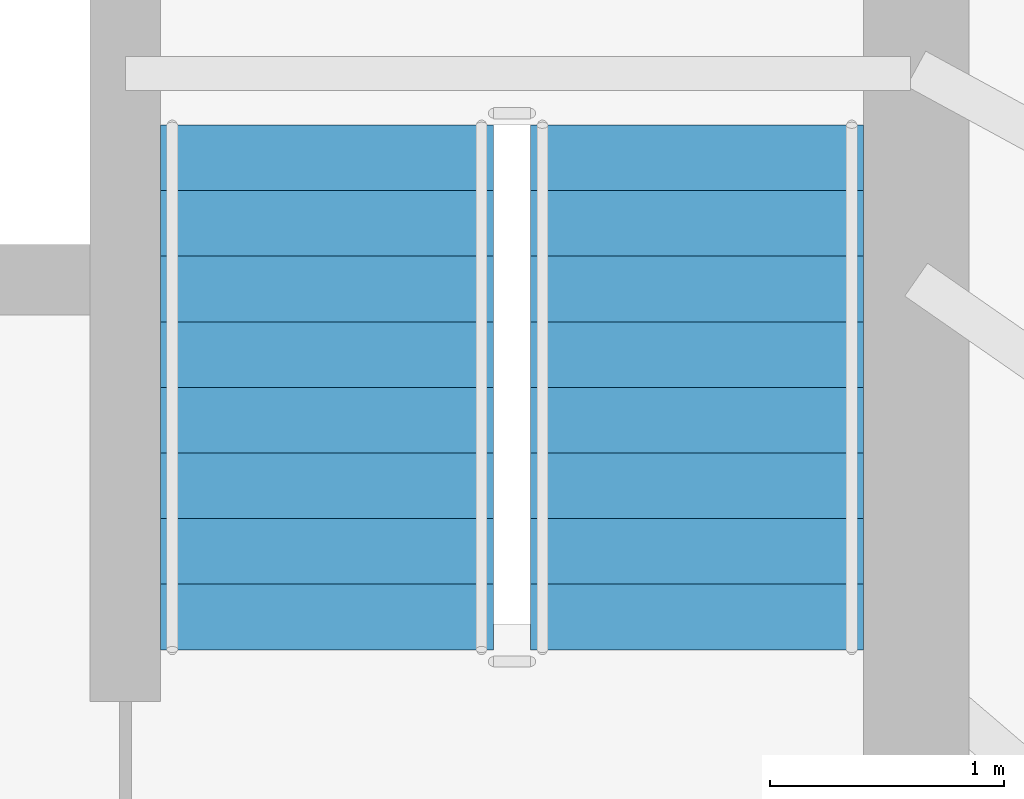
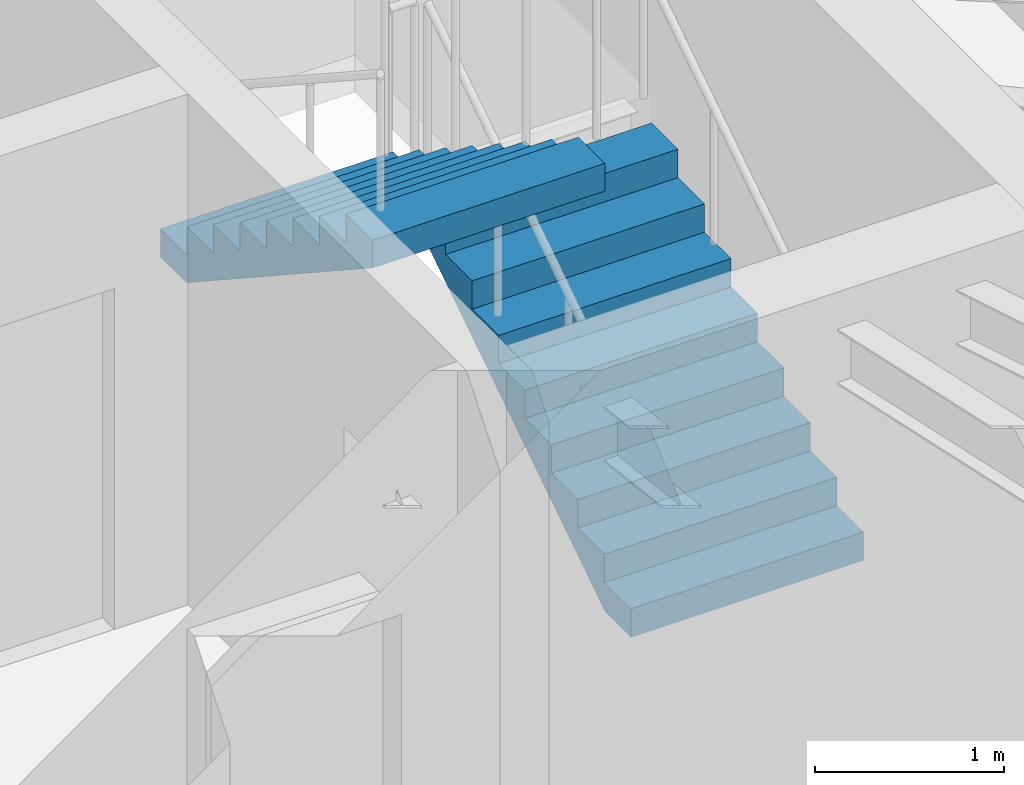
# One storey, part 30 of 33: 2 stair flights, 1 element without a shape of its own.
"""IFC4 building model written with IfcOpenShell, lengths in metres."""

from ifc_helpers import new_model, si_unit, direction, frame, origin, place, context, subcontext, project, spatial, polyline, outline, extrude, material, type_object, element, aggregate, save


model = new_model("IFC4")

# Units and contexts
model_context = context("Model", 3, precision=1e-05, world=origin(), true_north=direction((0.0, 1.0)))
body_context = subcontext(model_context, "Body", "Model", "MODEL_VIEW")
ifc_project = project(units=[si_unit("LENGTHUNIT", "METRE"), si_unit("AREAUNIT", "SQUARE_METRE"), si_unit("VOLUMEUNIT", "CUBIC_METRE"), si_unit("PLANEANGLEUNIT", "RADIAN"), si_unit("MASSUNIT", "GRAM", prefix="KILO")], contexts=[model_context])

# Site, building, storey
site_placement = place(None, origin())
site = spatial("IfcSite", under=ifc_project, at=site_placement, CompositionType="ELEMENT")
building_placement = place(site_placement, origin())
building = spatial("IfcBuilding", under=site, at=building_placement, Name="Orvanel Arch Residences", CompositionType="ELEMENT")
storey_placement = place(building_placement, frame((0.0, 0.0, 70.85009765625)))
storey = spatial("IfcBuildingStorey", under=building, at=storey_placement, Name="L19", CompositionType="ELEMENT", Elevation=70.85009765625)

# Stair, stair flights
ifc_material = material(Name="Precast concrete N50 (50 MPa)", Category="concrete")
stair_type = type_object("IfcStairType", Name="STR-DOG-184", PredefinedType="USERDEFINED", material=ifc_material)
stair_placement = place(storey_placement, origin())
stair = element("IfcStair", 1, at=stair_placement, inside=storey, type_object=stair_type, Name="L19 Fire-Isolated Core Exit Stair 2", ObjectType="TWO_RETURN_STAIR", PredefinedType="USERDEFINED")
stair_flight_type = type_object("IfcStairFlightType", Name="SFL-C2-184", PredefinedType="STRAIGHT", material=ifc_material)
stair_flight_1_placement = place(storey_placement, frame((38.68994140625, 28.320068359375, 0.0), z_axis=(0.0, 0.0, 1.0), x_axis=(0.0, 1.0, 0.0)))
stair_flight_1 = element("IfcStairFlight", 2, at=stair_flight_1_placement, type_object=stair_flight_type, Name="ST-2 flight 1", NumberOfRisers=9, NumberOfTreads=8, PredefinedType="STRAIGHT", RiserHeight=0.183333333, TreadLength=0.28, context=body_context, shape_type="SweptSolid", body=[
    extrude(outline(polyline([(0.0, 0.0), (0.0, 0.183349609375), (0.280029296875, 0.183349609375), (0.280029296875, 0.36669921875), (0.56005859375, 0.36669921875), (0.56005859375, 0.550048828125), (0.840087890625, 0.550048828125), (0.840087890625, 0.7333984375), (1.1201171875, 0.7333984375), (1.1201171875, 0.916748046875), (1.39990234375, 0.916748046875), (1.39990234375, 1.10009765625), (1.679931640625, 1.10009765625), (1.679931640625, 1.283447265625), (1.9599609375, 1.283447265625), (1.9599609375, 1.466552734375), (2.239990234375, 1.466552734375), (2.239990234375, 1.64990234375), (2.239990234375, 1.28759765625), (0.273681640625, 0.0), (0.0, 0.0)])), frame((0.0, 0.7099609375, 0.0), z_axis=(0.0, -1.0, 0.0), x_axis=(1.0, 0.0, 0.0)), (0.0, 0.0, 1.0), 1.419921875),
])
stair_flight_2_placement = place(storey_placement, frame((37.110107421875, 30.56005859375, 1.64990234375), z_axis=(0.0, 0.0, 1.0), x_axis=(0.0, -1.0, 0.0)))
stair_flight_2 = element("IfcStairFlight", 3, at=stair_flight_2_placement, type_object=stair_flight_type, Name="ST-2 flight 2", NumberOfRisers=9, NumberOfTreads=8, PredefinedType="STRAIGHT", RiserHeight=0.183333333, TreadLength=0.28, context=body_context, shape_type="SweptSolid", body=[
    extrude(outline(polyline([(0.0, 0.0), (0.0, 0.183349609375), (0.280029296875, 0.183349609375), (0.280029296875, 0.36669921875), (0.56005859375, 0.36669921875), (0.56005859375, 0.550048828125), (0.840087890625, 0.550048828125), (0.840087890625, 0.7333984375), (1.1201171875, 0.7333984375), (1.1201171875, 0.916748046875), (1.39990234375, 0.916748046875), (1.39990234375, 1.10009765625), (1.679931640625, 1.10009765625), (1.679931640625, 1.283447265625), (1.9599609375, 1.283447265625), (1.9599609375, 1.466552734375), (2.239990234375, 1.466552734375), (2.239990234375, 1.64990234375), (2.239990234375, 1.28759765625), (0.273681640625, 0.0), (0.0, 0.0)])), frame((0.0, 0.7099609375, 0.0), z_axis=(0.0, -1.0, 0.0), x_axis=(1.0, 0.0, 0.0)), (0.0, 0.0, 1.0), 1.419921875),
])
aggregate(stair, [stair_flight_1, stair_flight_2])

save(model, "model.ifc")
